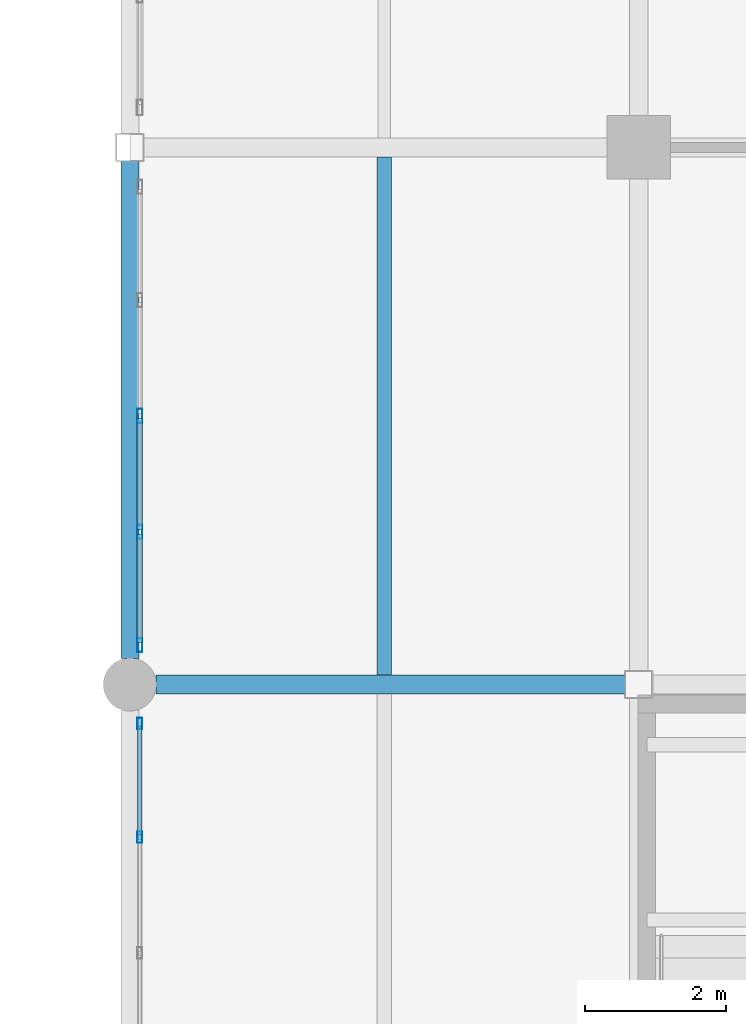
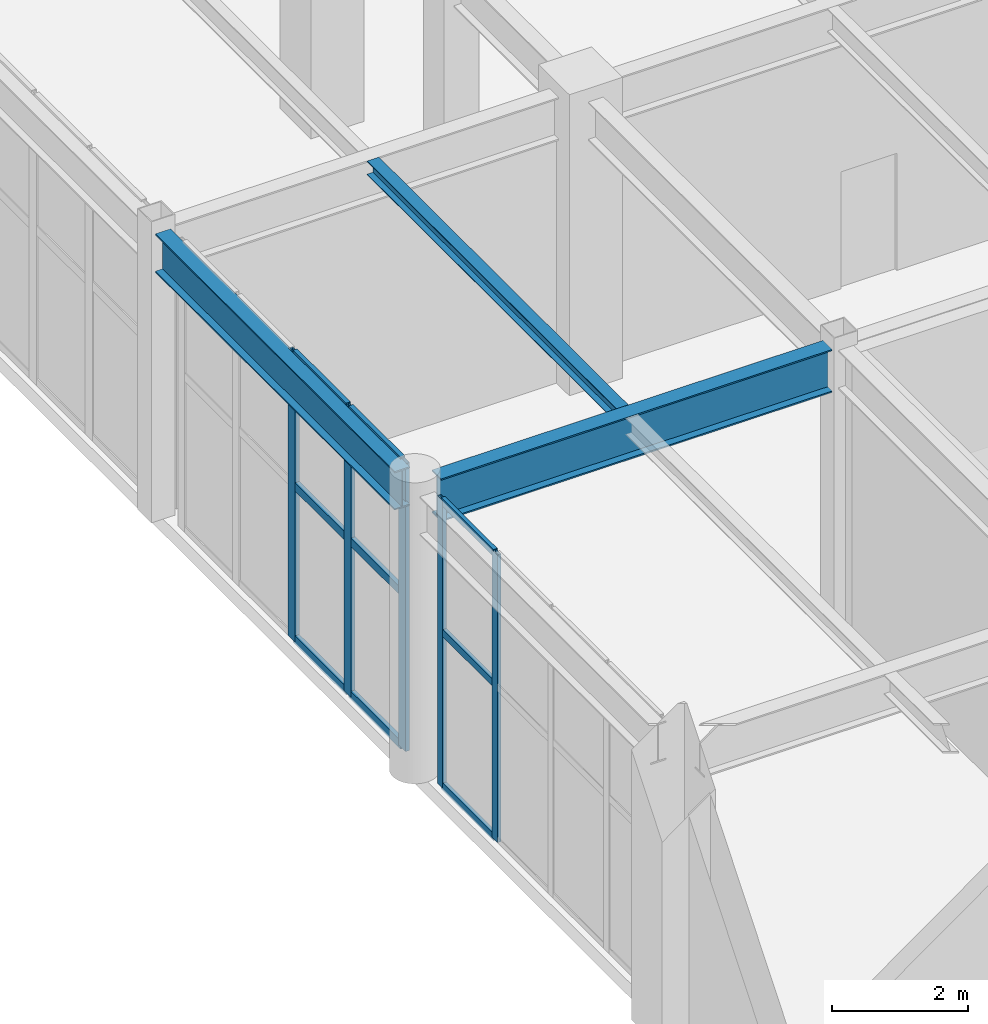
# One storey, part 43 of 139: 14 members, 3 beams, 2 elements without a shape of their own.
"""IFC4 building model written with IfcOpenShell, lengths in metres."""

from ifc_helpers import new_model, si_unit, direction, frame, origin, origin_2d, place, context, subcontext, project, spatial, hollow_rectangle, i_section, extrude, material, layer, layer_set, material_profile, profile_set, type_object, element, aggregate, save


model = new_model("IFC4")

# Units and contexts
model_context = context("Model", 3, precision=1e-05, world=origin(), true_north=direction((0.0, 1.0)))
body_context = subcontext(model_context, "Body", "Model", "MODEL_VIEW")
ifc_project = project(units=[si_unit("LENGTHUNIT", "METRE"), si_unit("AREAUNIT", "SQUARE_METRE"), si_unit("VOLUMEUNIT", "CUBIC_METRE"), si_unit("PLANEANGLEUNIT", "RADIAN"), si_unit("MASSUNIT", "GRAM", prefix="KILO")], contexts=[model_context])

# Site, building, storey
site_placement = place(None, origin())
site = spatial("IfcSite", under=ifc_project, at=site_placement, CompositionType="ELEMENT")
building_placement = place(site_placement, origin())
building = spatial("IfcBuilding", under=site, at=building_placement, Name="Xicomal Pleat Aquarium", CompositionType="ELEMENT")
storey_placement = place(building_placement, origin())
storey = spatial("IfcBuildingStorey", under=building, at=storey_placement, Name="L01", CompositionType="ELEMENT", Elevation=0.0)

# Beams
ifc_material_1 = material(Name="Structural steel A992 Gr 50", Category="steel")
ifc_material_profile_1 = material_profile(ifc_material_1, i_section(OverallWidth=0.201904296875, OverallDepth=0.2470703125, WebThickness=0.00732421875, FlangeThickness=0.010986328125, at=origin_2d()), Name="IR 250x49")
ifc_profile_set_1 = profile_set([ifc_material_profile_1], Name="Structural steel A992 Gr 50")
beam_type_1 = type_object("IfcBeamType", Name="BM-STL-IR250", PredefinedType="JOIST", material=ifc_profile_set_1)
beam_1_placement = place(storey_placement, frame((6.60009765625, 76.136962890625, 5.03662109375), z_axis=(0.0, 1.0, 0.0), x_axis=(-1.0, 0.0, 0.0)))
element("IfcBeam", 1, at=beam_1_placement, inside=storey, type_object=beam_type_1, Name="L01 framing beam FBJ-L01-01-L-1", PredefinedType="JOIST", context=body_context, shape_type="SweptSolid", body=[
    extrude(i_section(OverallWidth=0.201904296875, OverallDepth=0.2470703125, WebThickness=0.00732421875, FlangeThickness=0.010986328125, at=origin_2d()), origin(), (0.0, 0.0, 1.0), 7.325927734375),
])
ifc_material_2 = material(Name="Structural steel A992 Gr 50", Category="steel")
ifc_material_profile_2 = material_profile(ifc_material_2, i_section(OverallWidth=0.256103515625, OverallDepth=0.693115234375, WebThickness=0.014404296875, FlangeThickness=0.023681640625, at=origin_2d()), Name="IR 690x170")
ifc_profile_set_2 = profile_set([ifc_material_profile_2], Name="Structural steel A992 Gr 50")
beam_type_2 = type_object("IfcBeamType", Name="BM-STL-IR690", PredefinedType="BEAM", material=ifc_profile_set_2)
beam_2_placement = place(storey_placement, frame((3.0, 76.3701171875, 4.8134765625), z_axis=(0.0, 1.0, 0.0), x_axis=(-1.0, 0.0, 0.0)))
element("IfcBeam", 2, at=beam_2_placement, inside=storey, type_object=beam_type_2, Name="L01 framing beam FGY-L01-01-L-M", PredefinedType="BEAM", context=body_context, shape_type="SweptSolid", body=[
    extrude(i_section(OverallWidth=0.256103515625, OverallDepth=0.693115234375, WebThickness=0.014404296875, FlangeThickness=0.023681640625, at=origin_2d()), origin(), (0.0, 0.0, 1.0), 7.034912109375),
])
ifc_material_3 = material(Name="Structural steel A992 Gr 50", Category="steel")
ifc_material_profile_3 = material_profile(ifc_material_3, i_section(OverallWidth=0.26806640625, OverallDepth=0.77001953125, WebThickness=0.015625, FlangeThickness=0.025390625, at=origin_2d()), Name="IR 760x196")
ifc_profile_set_3 = profile_set([ifc_material_profile_3], Name="Structural steel A992 Gr 50")
beam_type_3 = type_object("IfcBeamType", Name="BM-STL-IR760", PredefinedType="BEAM", material=ifc_profile_set_3)
beam_3_placement = place(storey_placement, frame((3.3701171875, 76.0, 4.77490234375), z_axis=(1.0, 0.0, 0.0), x_axis=(0.0, 1.0, 0.0)))
element("IfcBeam", 3, at=beam_3_placement, inside=storey, type_object=beam_type_3, Name="L01 framing beam FGX-L01-01-02-L", PredefinedType="BEAM", context=body_context, shape_type="SweptSolid", body=[
    extrude(i_section(OverallWidth=0.26806640625, OverallDepth=0.77001953125, WebThickness=0.015625, FlangeThickness=0.025390625, at=origin_2d()), origin(), (0.0, 0.0, 1.0), 6.634765625),
])

# Curtain wall, members
ifc_material_4 = material(Name="Bronze anodized aluminium 6063-T6", Category="aluminium")
ifc_layer_1 = layer(ifc_material_4, 0.159912109375)
ifc_layer_set_1 = layer_set([ifc_layer_1], Name="Bronze anodized aluminium 6063-T6")
curtain_wall_type_1 = type_object("IfcCurtainWallType", Name="CW-SYS-01", PredefinedType="NOTDEFINED", material=ifc_layer_set_1)
curtain_wall_1_placement = place(storey_placement, origin())
curtain_wall_1 = element("IfcCurtainWall", 4, at=curtain_wall_1_placement, inside=storey, type_object=curtain_wall_type_1, Name="L01 unitised curtain wall CW-L01-009", PredefinedType="NOTDEFINED")
ifc_material_5 = material(Name="Bronze anodized aluminium 6063-T6", Category="aluminium")
ifc_material_profile_4 = material_profile(ifc_material_5, hollow_rectangle(XDim=0.06494140625, YDim=0.159912109375, WallThickness=0.00390625, at=origin_2d()), Name="ALU MULL 65x160")
ifc_profile_set_4 = profile_set([ifc_material_profile_4], Name="Bronze anodized aluminium 6063-T6")
member_type_1 = type_object("IfcMemberType", Name="CWM-65x160", PredefinedType="MULLION", material=ifc_profile_set_4)
member_1_placement = place(storey_placement, frame((3.139892578125, 73.840087890625, 0.0), z_axis=(0.0, 0.0, 1.0), x_axis=(-1.0, 0.0, 0.0)))
member_1 = element("IfcMember", 5, at=member_1_placement, type_object=member_type_1, Name="CW-01 mullion 4", PredefinedType="MULLION", context=body_context, shape_type="SweptSolid", body=[
    extrude(hollow_rectangle(XDim=0.06494140625, YDim=0.159912109375, WallThickness=0.00390625, at=origin_2d()), origin(), (0.0, 0.0, 1.0), 5.159912109375),
])
member_2_placement = place(storey_placement, frame((3.139892578125, 75.447509765625, 0.0), z_axis=(0.0, 0.0, 1.0), x_axis=(-1.0, 0.0, 0.0)))
member_2 = element("IfcMember", 6, at=member_2_placement, type_object=member_type_1, Name="CW-01 mullion 5", PredefinedType="MULLION", context=body_context, shape_type="SweptSolid", body=[
    extrude(hollow_rectangle(XDim=0.06494140625, YDim=0.159912109375, WallThickness=0.00390625, at=origin_2d()), origin(), (0.0, 0.0, 1.0), 5.159912109375),
])

ifc_material_6 = material(Name="Bronze anodized aluminium 6063-T6", Category="aluminium")
ifc_layer_2 = layer(ifc_material_6, 0.159912109375)
ifc_layer_set_2 = layer_set([ifc_layer_2], Name="Bronze anodized aluminium 6063-T6")
curtain_wall_type_2 = type_object("IfcCurtainWallType", Name="CW-SYS-06", PredefinedType="NOTDEFINED", material=ifc_layer_set_2)
curtain_wall_2_placement = place(storey_placement, origin())
curtain_wall_2 = element("IfcCurtainWall", 7, at=curtain_wall_2_placement, inside=storey, type_object=curtain_wall_type_2, Name="L01 unitised curtain wall CW-L01-010", PredefinedType="NOTDEFINED")
ifc_material_7 = material(Name="Bronze anodized aluminium 6063-T6", Category="aluminium")
ifc_material_profile_5 = material_profile(ifc_material_7, hollow_rectangle(XDim=0.074951171875, YDim=0.199951171875, WallThickness=0.00439453125, at=origin_2d()), Name="ALU MULL 75x200")
ifc_profile_set_5 = profile_set([ifc_material_profile_5], Name="Bronze anodized aluminium 6063-T6")
member_type_2 = type_object("IfcMemberType", Name="CWM-75x200", PredefinedType="MULLION", material=ifc_profile_set_5)
member_3_placement = place(storey_placement, frame((3.139892578125, 76.5576171875, 0.0), z_axis=(0.0, 0.0, 1.0), x_axis=(-1.0, 0.0, 0.0)))
member_3 = element("IfcMember", 8, at=member_3_placement, type_object=member_type_2, Name="CW-06 mullion 1", PredefinedType="MULLION", context=body_context, shape_type="SweptSolid", body=[
    extrude(hollow_rectangle(XDim=0.074951171875, YDim=0.199951171875, WallThickness=0.00439453125, at=origin_2d()), origin(), (0.0, 0.0, 1.0), 5.159912109375),
])
member_4_placement = place(storey_placement, frame((3.139892578125, 78.159912109375, 0.0), z_axis=(0.0, 0.0, 1.0), x_axis=(-1.0, 0.0, 0.0)))
member_4 = element("IfcMember", 9, at=member_4_placement, type_object=member_type_2, Name="CW-06 mullion 2", PredefinedType="MULLION", context=body_context, shape_type="SweptSolid", body=[
    extrude(hollow_rectangle(XDim=0.074951171875, YDim=0.199951171875, WallThickness=0.00439453125, at=origin_2d()), origin(), (0.0, 0.0, 1.0), 5.159912109375),
])
member_5_placement = place(storey_placement, frame((3.139892578125, 79.800048828125, 0.0), z_axis=(0.0, 0.0, 1.0), x_axis=(-1.0, 0.0, 0.0)))
member_5 = element("IfcMember", 10, at=member_5_placement, type_object=member_type_2, Name="CW-06 mullion 3", PredefinedType="MULLION", context=body_context, shape_type="SweptSolid", body=[
    extrude(hollow_rectangle(XDim=0.074951171875, YDim=0.199951171875, WallThickness=0.00439453125, at=origin_2d()), origin(), (0.0, 0.0, 1.0), 5.159912109375),
])

# Member
ifc_material_8 = material(Name="Bronze anodized aluminium 6063-T6", Category="aluminium")
ifc_material_profile_6 = material_profile(ifc_material_8, hollow_rectangle(XDim=0.06494140625, YDim=0.1298828125, WallThickness=0.00390625, at=origin_2d()), Name="ALU TRAN 65x130")
ifc_profile_set_6 = profile_set([ifc_material_profile_6], Name="Bronze anodized aluminium 6063-T6")
member_type_3 = type_object("IfcMemberType", Name="CWT-65x130", PredefinedType="USERDEFINED", material=ifc_profile_set_6)
member_6_placement = place(storey_placement, frame((3.139892578125, 73.87255859375, 0.032470703125), z_axis=(0.0, 1.0, 0.0), x_axis=(-1.0, 0.0, 0.0)))
member_6 = element("IfcMember", 11, at=member_6_placement, type_object=member_type_3, Name="CW-01 transom 4.1", ObjectType="TRANSOM", PredefinedType="USERDEFINED", context=body_context, shape_type="SweptSolid", body=[
    extrude(hollow_rectangle(XDim=0.06494140625, YDim=0.1298828125, WallThickness=0.00390625, at=origin_2d()), origin(), (0.0, 0.0, 1.0), 1.54248046875),
])

member_7_placement = place(storey_placement, frame((3.139892578125, 73.87255859375, 2.785888671875), z_axis=(0.0, 1.0, 0.0), x_axis=(-1.0, 0.0, 0.0)))
member_7 = element("IfcMember", 12, at=member_7_placement, type_object=member_type_3, Name="CW-01 transom 4.2", ObjectType="TRANSOM", PredefinedType="USERDEFINED", context=body_context, shape_type="SweptSolid", body=[
    extrude(hollow_rectangle(XDim=0.06494140625, YDim=0.1298828125, WallThickness=0.00390625, at=origin_2d()), origin(), (0.0, 0.0, 1.0), 1.54248046875),
])

member_8_placement = place(storey_placement, frame((3.139892578125, 73.87255859375, 5.12744140625), z_axis=(0.0, 1.0, 0.0), x_axis=(-1.0, 0.0, 0.0)))
member_8 = element("IfcMember", 13, at=member_8_placement, type_object=member_type_3, Name="CW-01 transom 4.3", ObjectType="TRANSOM", PredefinedType="USERDEFINED", context=body_context, shape_type="SweptSolid", body=[
    extrude(hollow_rectangle(XDim=0.06494140625, YDim=0.1298828125, WallThickness=0.00390625, at=origin_2d()), origin(), (0.0, 0.0, 1.0), 1.54248046875),
])

aggregate(curtain_wall_1, [member_1, member_2, member_6, member_7, member_8])

ifc_material_9 = material(Name="Bronze anodized aluminium 6063-T6", Category="aluminium")
ifc_material_profile_7 = material_profile(ifc_material_9, hollow_rectangle(XDim=0.074951171875, YDim=0.14990234375, WallThickness=0.00439453125, at=origin_2d()), Name="ALU TRAN 75x150")
ifc_profile_set_7 = profile_set([ifc_material_profile_7], Name="Bronze anodized aluminium 6063-T6")
member_type_4 = type_object("IfcMemberType", Name="CWT-75x150", PredefinedType="USERDEFINED", material=ifc_profile_set_7)
member_9_placement = place(storey_placement, frame((3.139892578125, 76.594970703125, 0.03759765625), z_axis=(0.0, 1.0, 0.0), x_axis=(-1.0, 0.0, 0.0)))
member_9 = element("IfcMember", 14, at=member_9_placement, type_object=member_type_4, Name="CW-06 transom 1.1", ObjectType="TRANSOM", PredefinedType="USERDEFINED", context=body_context, shape_type="SweptSolid", body=[
    extrude(hollow_rectangle(XDim=0.074951171875, YDim=0.14990234375, WallThickness=0.00439453125, at=origin_2d()), origin(), (0.0, 0.0, 1.0), 1.527587890625),
])

member_10_placement = place(storey_placement, frame((3.139892578125, 76.594970703125, 2.785888671875), z_axis=(0.0, 1.0, 0.0), x_axis=(-1.0, 0.0, 0.0)))
member_10 = element("IfcMember", 15, at=member_10_placement, type_object=member_type_4, Name="CW-06 transom 1.2", ObjectType="TRANSOM", PredefinedType="USERDEFINED", context=body_context, shape_type="SweptSolid", body=[
    extrude(hollow_rectangle(XDim=0.074951171875, YDim=0.14990234375, WallThickness=0.00439453125, at=origin_2d()), origin(), (0.0, 0.0, 1.0), 1.527587890625),
])

member_11_placement = place(storey_placement, frame((3.139892578125, 76.594970703125, 5.12255859375), z_axis=(0.0, 1.0, 0.0), x_axis=(-1.0, 0.0, 0.0)))
member_11 = element("IfcMember", 16, at=member_11_placement, type_object=member_type_4, Name="CW-06 transom 1.3", ObjectType="TRANSOM", PredefinedType="USERDEFINED", context=body_context, shape_type="SweptSolid", body=[
    extrude(hollow_rectangle(XDim=0.074951171875, YDim=0.14990234375, WallThickness=0.00439453125, at=origin_2d()), origin(), (0.0, 0.0, 1.0), 1.527587890625),
])

member_12_placement = place(storey_placement, frame((3.139892578125, 78.197509765625, 0.03759765625), z_axis=(0.0, 1.0, 0.0), x_axis=(-1.0, 0.0, 0.0)))
member_12 = element("IfcMember", 17, at=member_12_placement, type_object=member_type_4, Name="CW-06 transom 2.1", ObjectType="TRANSOM", PredefinedType="USERDEFINED", context=body_context, shape_type="SweptSolid", body=[
    extrude(hollow_rectangle(XDim=0.074951171875, YDim=0.14990234375, WallThickness=0.00439453125, at=origin_2d()), origin(), (0.0, 0.0, 1.0), 1.56494140625),
])

member_13_placement = place(storey_placement, frame((3.139892578125, 78.197509765625, 2.785888671875), z_axis=(0.0, 1.0, 0.0), x_axis=(-1.0, 0.0, 0.0)))
member_13 = element("IfcMember", 18, at=member_13_placement, type_object=member_type_4, Name="CW-06 transom 2.2", ObjectType="TRANSOM", PredefinedType="USERDEFINED", context=body_context, shape_type="SweptSolid", body=[
    extrude(hollow_rectangle(XDim=0.074951171875, YDim=0.14990234375, WallThickness=0.00439453125, at=origin_2d()), origin(), (0.0, 0.0, 1.0), 1.56494140625),
])

member_14_placement = place(storey_placement, frame((3.139892578125, 78.197509765625, 5.12255859375), z_axis=(0.0, 1.0, 0.0), x_axis=(-1.0, 0.0, 0.0)))
member_14 = element("IfcMember", 19, at=member_14_placement, type_object=member_type_4, Name="CW-06 transom 2.3", ObjectType="TRANSOM", PredefinedType="USERDEFINED", context=body_context, shape_type="SweptSolid", body=[
    extrude(hollow_rectangle(XDim=0.074951171875, YDim=0.14990234375, WallThickness=0.00439453125, at=origin_2d()), origin(), (0.0, 0.0, 1.0), 1.56494140625),
])

aggregate(curtain_wall_2, [member_3, member_4, member_5, member_9, member_10, member_11, member_12, member_13, member_14])

save(model, "model.ifc")
